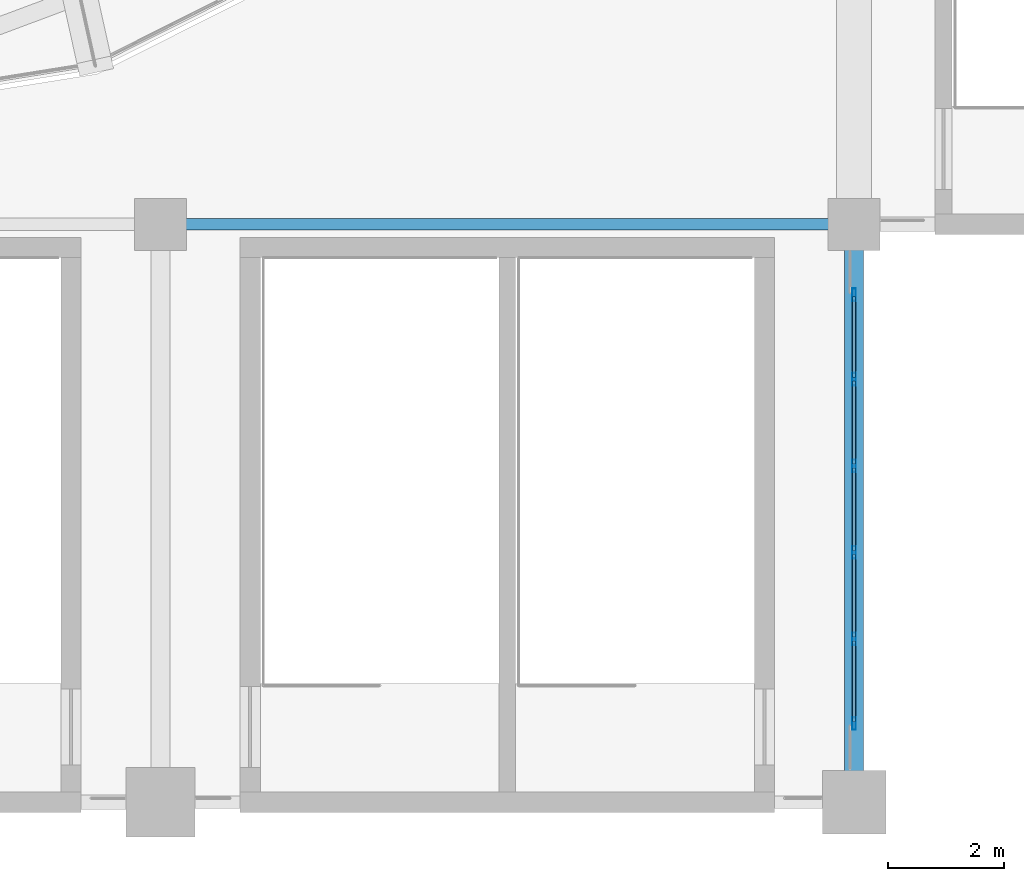
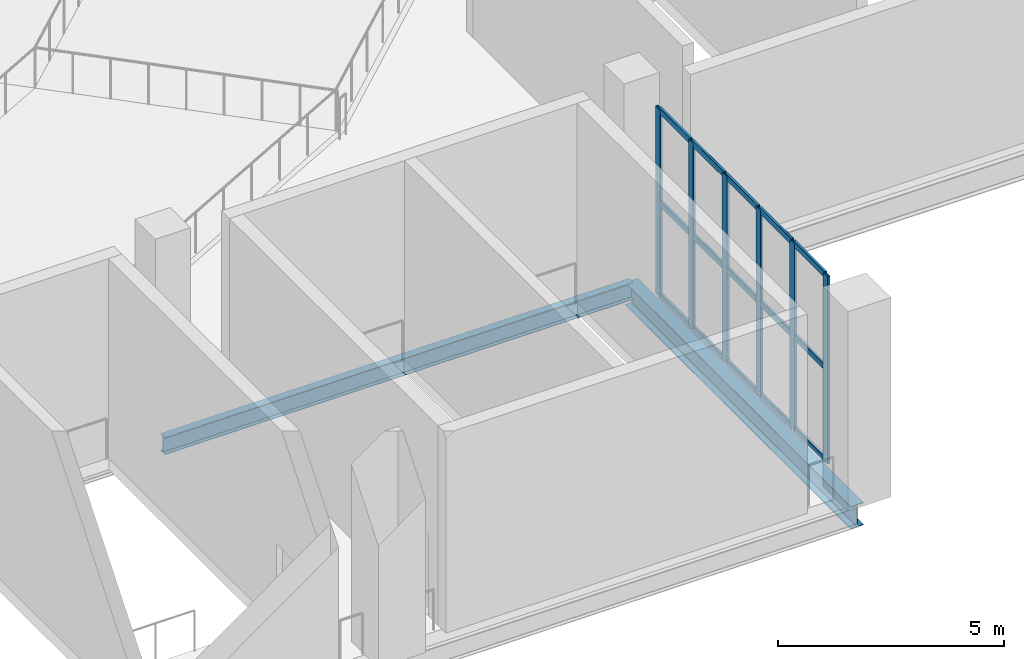
# One storey, part 14 of 74: 21 members, 2 beams, 1 element without a shape of its own.
"""IFC4 building model written with IfcOpenShell, lengths in metres."""

from ifc_helpers import new_model, si_unit, direction, frame, origin, origin_2d, place, context, subcontext, project, spatial, hollow_rectangle, i_section, extrude, material, layer, layer_set, material_profile, profile_set, type_object, element, aggregate, save


model = new_model("IFC4")

# Units and contexts
model_context = context("Model", 3, precision=1e-05, world=origin(), true_north=direction((0.0, 1.0)))
body_context = subcontext(model_context, "Body", "Model", "MODEL_VIEW")
ifc_project = project(units=[si_unit("LENGTHUNIT", "METRE"), si_unit("AREAUNIT", "SQUARE_METRE"), si_unit("VOLUMEUNIT", "CUBIC_METRE"), si_unit("PLANEANGLEUNIT", "RADIAN"), si_unit("MASSUNIT", "GRAM", prefix="KILO")], contexts=[model_context])

# Site, building, storey
site_placement = place(None, origin())
site = spatial("IfcSite", under=ifc_project, at=site_placement, CompositionType="ELEMENT")
building_placement = place(site_placement, origin())
building = spatial("IfcBuilding", under=site, at=building_placement, Name="Brinegate Civic Arena", CompositionType="ELEMENT")
storey_placement = place(building_placement, frame((0.0, 0.0, 19.199951171875)))
storey = spatial("IfcBuildingStorey", under=building, at=storey_placement, Name="L04", CompositionType="ELEMENT", Elevation=19.199951171875)

# Curtain wall, members
ifc_material_1 = material(Name="Marine grade aluminium", Category="aluminium")
ifc_layer = layer(ifc_material_1, 0.25, Name="Marine grade aluminium")
ifc_layer_set = layer_set([ifc_layer], Name="Marine grade aluminium")
curtain_wall_type = type_object("IfcCurtainWallType", Name="CW-PORTAL-SOUTH-02", PredefinedType="USERDEFINED", material=ifc_layer_set)
curtain_wall_placement = place(storey_placement, origin())
curtain_wall = element("IfcCurtainWall", 1, at=curtain_wall_placement, inside=storey, type_object=curtain_wall_type, Name="Curtain Wall CWA-151", ObjectType="PORTAL CURTAIN WALL", PredefinedType="USERDEFINED")
ifc_material_profile_1 = material_profile(ifc_material_1, hollow_rectangle(XDim=0.06494140625, YDim=0.219970703125, WallThickness=0.006103515625, InnerFilletRadius=0.00390625, OuterFilletRadius=0.008056640625, at=origin_2d()), Name="MUL65X220")
ifc_profile_set_1 = profile_set([ifc_material_profile_1], Name="Marine grade aluminium")
member_type_1 = type_object("IfcMemberType", Name="CW-MULLION-65X220", PredefinedType="MULLION", material=ifc_profile_set_1)
member_1_placement = place(storey_placement, frame((132.0, 1.360595703125, 0.0), z_axis=(0.0, 0.0, 1.0), x_axis=(-1.0, 0.0, 0.0)))
member_1 = element("IfcMember", 2, at=member_1_placement, type_object=member_type_1, Name="CWA-151 mullion 1", PredefinedType="MULLION", context=body_context, shape_type="SweptSolid", body=[
    extrude(hollow_rectangle(XDim=0.06494140625, YDim=0.219970703125, WallThickness=0.006103515625, InnerFilletRadius=0.00390625, OuterFilletRadius=0.008056640625, at=origin_2d()), origin(), (0.0, 0.0, 1.0), 5.070068359375),
])
member_2_placement = place(storey_placement, frame((132.0, 2.8251953125, 0.0), z_axis=(0.0, 0.0, 1.0), x_axis=(-1.0, 0.0, 0.0)))
member_2 = element("IfcMember", 3, at=member_2_placement, type_object=member_type_1, Name="CWA-151 mullion 2", PredefinedType="MULLION", context=body_context, shape_type="SweptSolid", body=[
    extrude(hollow_rectangle(XDim=0.06494140625, YDim=0.219970703125, WallThickness=0.006103515625, InnerFilletRadius=0.00390625, OuterFilletRadius=0.008056640625, at=origin_2d()), origin(), (0.0, 0.0, 1.0), 5.070068359375),
])
member_3_placement = place(storey_placement, frame((132.0, 4.322509765625, 0.0), z_axis=(0.0, 0.0, 1.0), x_axis=(-1.0, 0.0, 0.0)))
member_3 = element("IfcMember", 4, at=member_3_placement, type_object=member_type_1, Name="CWA-151 mullion 3", PredefinedType="MULLION", context=body_context, shape_type="SweptSolid", body=[
    extrude(hollow_rectangle(XDim=0.06494140625, YDim=0.219970703125, WallThickness=0.006103515625, InnerFilletRadius=0.00390625, OuterFilletRadius=0.008056640625, at=origin_2d()), origin(), (0.0, 0.0, 1.0), 5.070068359375),
])
member_4_placement = place(storey_placement, frame((132.0, 5.819580078125, 0.0), z_axis=(0.0, 0.0, 1.0), x_axis=(-1.0, 0.0, 0.0)))
member_4 = element("IfcMember", 5, at=member_4_placement, type_object=member_type_1, Name="CWA-151 mullion 4", PredefinedType="MULLION", context=body_context, shape_type="SweptSolid", body=[
    extrude(hollow_rectangle(XDim=0.06494140625, YDim=0.219970703125, WallThickness=0.006103515625, InnerFilletRadius=0.00390625, OuterFilletRadius=0.008056640625, at=origin_2d()), origin(), (0.0, 0.0, 1.0), 5.070068359375),
])
member_5_placement = place(storey_placement, frame((132.0, 7.31689453125, 0.0), z_axis=(0.0, 0.0, 1.0), x_axis=(-1.0, 0.0, 0.0)))
member_5 = element("IfcMember", 6, at=member_5_placement, type_object=member_type_1, Name="CWA-151 mullion 5", PredefinedType="MULLION", context=body_context, shape_type="SweptSolid", body=[
    extrude(hollow_rectangle(XDim=0.06494140625, YDim=0.219970703125, WallThickness=0.006103515625, InnerFilletRadius=0.00390625, OuterFilletRadius=0.008056640625, at=origin_2d()), origin(), (0.0, 0.0, 1.0), 5.070068359375),
])
member_6_placement = place(storey_placement, frame((132.0, 8.781494140625, 0.0), z_axis=(0.0, 0.0, 1.0), x_axis=(-1.0, 0.0, 0.0)))
member_6 = element("IfcMember", 7, at=member_6_placement, type_object=member_type_1, Name="CWA-151 mullion 6", PredefinedType="MULLION", context=body_context, shape_type="SweptSolid", body=[
    extrude(hollow_rectangle(XDim=0.06494140625, YDim=0.219970703125, WallThickness=0.006103515625, InnerFilletRadius=0.00390625, OuterFilletRadius=0.008056640625, at=origin_2d()), origin(), (0.0, 0.0, 1.0), 5.070068359375),
])
ifc_material_profile_2 = material_profile(ifc_material_1, hollow_rectangle(XDim=0.06494140625, YDim=0.1650390625, WallThickness=0.0048828125, InnerFilletRadius=0.00390625, OuterFilletRadius=0.008056640625, at=origin_2d()), Name="TRN65X165")
ifc_profile_set_2 = profile_set([ifc_material_profile_2], Name="Marine grade aluminium")
member_type_2 = type_object("IfcMemberType", Name="CW-TRANSOM-65X165", PredefinedType="USERDEFINED", material=ifc_profile_set_2)
member_7_placement = place(storey_placement, frame((132.0, 1.39306640625, 0.032470703125), z_axis=(0.0, 1.0, 0.0), x_axis=(-1.0, 0.0, 0.0)))
member_7 = element("IfcMember", 8, at=member_7_placement, type_object=member_type_2, Name="CWA-151 transom 1.1", ObjectType="TRANSOM", PredefinedType="USERDEFINED", context=body_context, shape_type="SweptSolid", body=[
    extrude(hollow_rectangle(XDim=0.06494140625, YDim=0.1650390625, WallThickness=0.0048828125, InnerFilletRadius=0.00390625, OuterFilletRadius=0.008056640625, at=origin_2d()), origin(), (0.0, 0.0, 1.0), 1.399658203125),
])
member_8_placement = place(storey_placement, frame((132.0, 1.39306640625, 2.53515625), z_axis=(0.0, 1.0, 0.0), x_axis=(-1.0, 0.0, 0.0)))
member_8 = element("IfcMember", 9, at=member_8_placement, type_object=member_type_2, Name="CWA-151 transom 1.2", ObjectType="TRANSOM", PredefinedType="USERDEFINED", context=body_context, shape_type="SweptSolid", body=[
    extrude(hollow_rectangle(XDim=0.06494140625, YDim=0.1650390625, WallThickness=0.0048828125, InnerFilletRadius=0.00390625, OuterFilletRadius=0.008056640625, at=origin_2d()), origin(), (0.0, 0.0, 1.0), 1.399658203125),
])
member_9_placement = place(storey_placement, frame((132.0, 1.39306640625, 5.03759765625), z_axis=(0.0, 1.0, 0.0), x_axis=(-1.0, 0.0, 0.0)))
member_9 = element("IfcMember", 10, at=member_9_placement, type_object=member_type_2, Name="CWA-151 transom 1.3", ObjectType="TRANSOM", PredefinedType="USERDEFINED", context=body_context, shape_type="SweptSolid", body=[
    extrude(hollow_rectangle(XDim=0.06494140625, YDim=0.1650390625, WallThickness=0.0048828125, InnerFilletRadius=0.00390625, OuterFilletRadius=0.008056640625, at=origin_2d()), origin(), (0.0, 0.0, 1.0), 1.399658203125),
])
member_10_placement = place(storey_placement, frame((132.0, 2.857666015625, 0.032470703125), z_axis=(0.0, 1.0, 0.0), x_axis=(-1.0, 0.0, 0.0)))
member_10 = element("IfcMember", 11, at=member_10_placement, type_object=member_type_2, Name="CWA-151 transom 2.1", ObjectType="TRANSOM", PredefinedType="USERDEFINED", context=body_context, shape_type="SweptSolid", body=[
    extrude(hollow_rectangle(XDim=0.06494140625, YDim=0.1650390625, WallThickness=0.0048828125, InnerFilletRadius=0.00390625, OuterFilletRadius=0.008056640625, at=origin_2d()), origin(), (0.0, 0.0, 1.0), 1.43212890625),
])
member_11_placement = place(storey_placement, frame((132.0, 2.857666015625, 2.53515625), z_axis=(0.0, 1.0, 0.0), x_axis=(-1.0, 0.0, 0.0)))
member_11 = element("IfcMember", 12, at=member_11_placement, type_object=member_type_2, Name="CWA-151 transom 2.2", ObjectType="TRANSOM", PredefinedType="USERDEFINED", context=body_context, shape_type="SweptSolid", body=[
    extrude(hollow_rectangle(XDim=0.06494140625, YDim=0.1650390625, WallThickness=0.0048828125, InnerFilletRadius=0.00390625, OuterFilletRadius=0.008056640625, at=origin_2d()), origin(), (0.0, 0.0, 1.0), 1.43212890625),
])
member_12_placement = place(storey_placement, frame((132.0, 2.857666015625, 5.03759765625), z_axis=(0.0, 1.0, 0.0), x_axis=(-1.0, 0.0, 0.0)))
member_12 = element("IfcMember", 13, at=member_12_placement, type_object=member_type_2, Name="CWA-151 transom 2.3", ObjectType="TRANSOM", PredefinedType="USERDEFINED", context=body_context, shape_type="SweptSolid", body=[
    extrude(hollow_rectangle(XDim=0.06494140625, YDim=0.1650390625, WallThickness=0.0048828125, InnerFilletRadius=0.00390625, OuterFilletRadius=0.008056640625, at=origin_2d()), origin(), (0.0, 0.0, 1.0), 1.43212890625),
])
member_13_placement = place(storey_placement, frame((132.0, 4.35498046875, 0.032470703125), z_axis=(0.0, 1.0, 0.0), x_axis=(-1.0, 0.0, 0.0)))
member_13 = element("IfcMember", 14, at=member_13_placement, type_object=member_type_2, Name="CWA-151 transom 3.1", ObjectType="TRANSOM", PredefinedType="USERDEFINED", context=body_context, shape_type="SweptSolid", body=[
    extrude(hollow_rectangle(XDim=0.06494140625, YDim=0.1650390625, WallThickness=0.0048828125, InnerFilletRadius=0.00390625, OuterFilletRadius=0.008056640625, at=origin_2d()), origin(), (0.0, 0.0, 1.0), 1.43212890625),
])
member_14_placement = place(storey_placement, frame((132.0, 4.35498046875, 2.53515625), z_axis=(0.0, 1.0, 0.0), x_axis=(-1.0, 0.0, 0.0)))
member_14 = element("IfcMember", 15, at=member_14_placement, type_object=member_type_2, Name="CWA-151 transom 3.2", ObjectType="TRANSOM", PredefinedType="USERDEFINED", context=body_context, shape_type="SweptSolid", body=[
    extrude(hollow_rectangle(XDim=0.06494140625, YDim=0.1650390625, WallThickness=0.0048828125, InnerFilletRadius=0.00390625, OuterFilletRadius=0.008056640625, at=origin_2d()), origin(), (0.0, 0.0, 1.0), 1.43212890625),
])
member_15_placement = place(storey_placement, frame((132.0, 4.35498046875, 5.03759765625), z_axis=(0.0, 1.0, 0.0), x_axis=(-1.0, 0.0, 0.0)))
member_15 = element("IfcMember", 16, at=member_15_placement, type_object=member_type_2, Name="CWA-151 transom 3.3", ObjectType="TRANSOM", PredefinedType="USERDEFINED", context=body_context, shape_type="SweptSolid", body=[
    extrude(hollow_rectangle(XDim=0.06494140625, YDim=0.1650390625, WallThickness=0.0048828125, InnerFilletRadius=0.00390625, OuterFilletRadius=0.008056640625, at=origin_2d()), origin(), (0.0, 0.0, 1.0), 1.43212890625),
])
member_16_placement = place(storey_placement, frame((132.0, 5.85205078125, 0.032470703125), z_axis=(0.0, 1.0, 0.0), x_axis=(-1.0, 0.0, 0.0)))
member_16 = element("IfcMember", 17, at=member_16_placement, type_object=member_type_2, Name="CWA-151 transom 4.1", ObjectType="TRANSOM", PredefinedType="USERDEFINED", context=body_context, shape_type="SweptSolid", body=[
    extrude(hollow_rectangle(XDim=0.06494140625, YDim=0.1650390625, WallThickness=0.0048828125, InnerFilletRadius=0.00390625, OuterFilletRadius=0.008056640625, at=origin_2d()), origin(), (0.0, 0.0, 1.0), 1.43212890625),
])
member_17_placement = place(storey_placement, frame((132.0, 5.85205078125, 2.53515625), z_axis=(0.0, 1.0, 0.0), x_axis=(-1.0, 0.0, 0.0)))
member_17 = element("IfcMember", 18, at=member_17_placement, type_object=member_type_2, Name="CWA-151 transom 4.2", ObjectType="TRANSOM", PredefinedType="USERDEFINED", context=body_context, shape_type="SweptSolid", body=[
    extrude(hollow_rectangle(XDim=0.06494140625, YDim=0.1650390625, WallThickness=0.0048828125, InnerFilletRadius=0.00390625, OuterFilletRadius=0.008056640625, at=origin_2d()), origin(), (0.0, 0.0, 1.0), 1.43212890625),
])
member_18_placement = place(storey_placement, frame((132.0, 5.85205078125, 5.03759765625), z_axis=(0.0, 1.0, 0.0), x_axis=(-1.0, 0.0, 0.0)))
member_18 = element("IfcMember", 19, at=member_18_placement, type_object=member_type_2, Name="CWA-151 transom 4.3", ObjectType="TRANSOM", PredefinedType="USERDEFINED", context=body_context, shape_type="SweptSolid", body=[
    extrude(hollow_rectangle(XDim=0.06494140625, YDim=0.1650390625, WallThickness=0.0048828125, InnerFilletRadius=0.00390625, OuterFilletRadius=0.008056640625, at=origin_2d()), origin(), (0.0, 0.0, 1.0), 1.43212890625),
])
member_19_placement = place(storey_placement, frame((132.0, 7.349365234375, 0.032470703125), z_axis=(0.0, 1.0, 0.0), x_axis=(-1.0, 0.0, 0.0)))
member_19 = element("IfcMember", 20, at=member_19_placement, type_object=member_type_2, Name="CWA-151 transom 5.1", ObjectType="TRANSOM", PredefinedType="USERDEFINED", context=body_context, shape_type="SweptSolid", body=[
    extrude(hollow_rectangle(XDim=0.06494140625, YDim=0.1650390625, WallThickness=0.0048828125, InnerFilletRadius=0.00390625, OuterFilletRadius=0.008056640625, at=origin_2d()), origin(), (0.0, 0.0, 1.0), 1.399658203125),
])
member_20_placement = place(storey_placement, frame((132.0, 7.349365234375, 2.53515625), z_axis=(0.0, 1.0, 0.0), x_axis=(-1.0, 0.0, 0.0)))
member_20 = element("IfcMember", 21, at=member_20_placement, type_object=member_type_2, Name="CWA-151 transom 5.2", ObjectType="TRANSOM", PredefinedType="USERDEFINED", context=body_context, shape_type="SweptSolid", body=[
    extrude(hollow_rectangle(XDim=0.06494140625, YDim=0.1650390625, WallThickness=0.0048828125, InnerFilletRadius=0.00390625, OuterFilletRadius=0.008056640625, at=origin_2d()), origin(), (0.0, 0.0, 1.0), 1.399658203125),
])
member_21_placement = place(storey_placement, frame((132.0, 7.349365234375, 5.03759765625), z_axis=(0.0, 1.0, 0.0), x_axis=(-1.0, 0.0, 0.0)))
member_21 = element("IfcMember", 22, at=member_21_placement, type_object=member_type_2, Name="CWA-151 transom 5.3", ObjectType="TRANSOM", PredefinedType="USERDEFINED", context=body_context, shape_type="SweptSolid", body=[
    extrude(hollow_rectangle(XDim=0.06494140625, YDim=0.1650390625, WallThickness=0.0048828125, InnerFilletRadius=0.00390625, OuterFilletRadius=0.008056640625, at=origin_2d()), origin(), (0.0, 0.0, 1.0), 1.399658203125),
])
aggregate(curtain_wall, [member_1, member_2, member_3, member_4, member_5, member_6, member_7, member_8, member_9, member_10, member_11, member_12, member_13, member_14, member_15, member_16, member_17, member_18, member_19, member_20, member_21])

# Beams
ifc_material_2 = material(Name="Steel S355", Category="steel")
ifc_material_profile_3 = material_profile(ifc_material_2, i_section(OverallWidth=0.324951171875, OverallDepth=0.615966796875, WebThickness=0.013916015625, FlangeThickness=0.02197265625, FilletRadius=0.01611328125, at=origin_2d()), Name="W610X174")
ifc_profile_set_3 = profile_set([ifc_material_profile_3], Name="Steel S355")
beam_type_1 = type_object("IfcBeamType", Name="GIRDER-W610X174", PredefinedType="BEAM", material=ifc_profile_set_3)
beam_1_placement = place(storey_placement, frame((132.0, 0.0, -0.64794921875), z_axis=(0.0, 1.0, 0.0), x_axis=(-1.0, 0.0, 0.0)))
element("IfcBeam", 23, at=beam_1_placement, inside=storey, type_object=beam_type_1, Name="Floor Girder BM-L04-GY-11-00", PredefinedType="BEAM", context=body_context, shape_type="SweptSolid", body=[
    extrude(i_section(OverallWidth=0.324951171875, OverallDepth=0.615966796875, WebThickness=0.013916015625, FlangeThickness=0.02197265625, FilletRadius=0.01611328125, at=origin_2d()), origin(), (0.0, 0.0, 1.0), 10.0),
])
ifc_material_profile_4 = material_profile(ifc_material_2, i_section(OverallWidth=0.193115234375, OverallDepth=0.466064453125, WebThickness=0.010986328125, FlangeThickness=0.01904296875, FilletRadius=0.014892578125, at=origin_2d()), Name="W460X97")
ifc_profile_set_4 = profile_set([ifc_material_profile_4], Name="Steel S355")
beam_type_2 = type_object("IfcBeamType", Name="SPANDREL-W460X97", PredefinedType="SPANDREL", material=ifc_profile_set_4)
beam_2_placement = place(storey_placement, frame((120.0, 10.0, -0.572998046875), z_axis=(1.0, 0.0, 0.0), x_axis=(0.0, 1.0, 0.0)))
element("IfcBeam", 24, at=beam_2_placement, inside=storey, type_object=beam_type_2, Name="Floor Girder BM-L04-GX-10-01", PredefinedType="SPANDREL", context=body_context, shape_type="SweptSolid", body=[
    extrude(i_section(OverallWidth=0.193115234375, OverallDepth=0.466064453125, WebThickness=0.010986328125, FlangeThickness=0.01904296875, FilletRadius=0.014892578125, at=origin_2d()), origin(), (0.0, 0.0, 1.0), 12.0),
])

save(model, "model.ifc")
